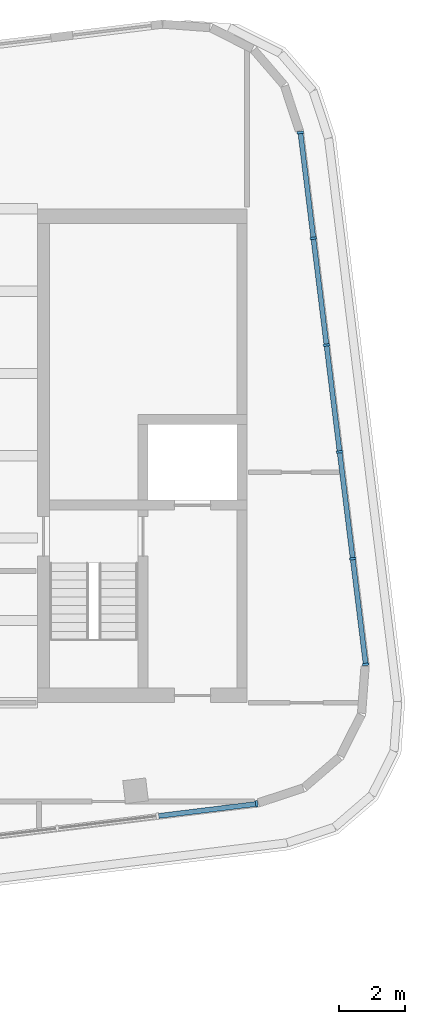
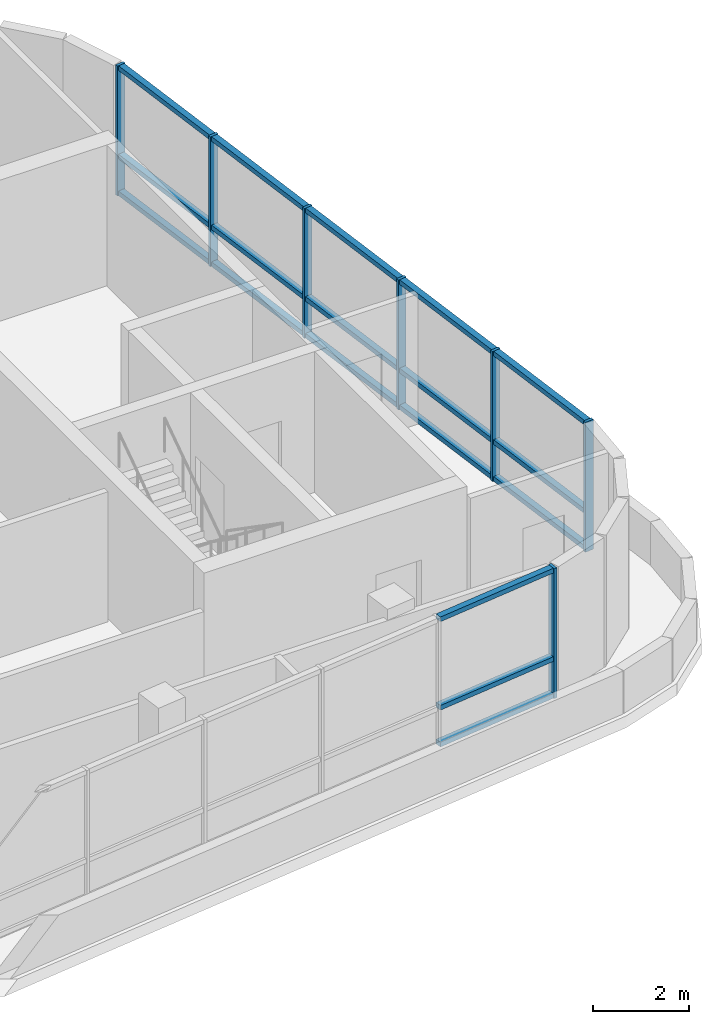
# One storey, part 2 of 7: 25 members, 2 elements without a shape of their own.
"""IFC4 building model written with IfcOpenShell, lengths in metres."""

import ifcopenshell
import ifcopenshell.guid

model = None  # the IFC model being written
_history = None  # IfcOwnerHistory: only IFC2X3 demands one
_inside = {}  # id of a spatial element -> (the spatial element, [elements in it])
_under = {}  # id of a project, library or spatial element -> (it, [spatial elements below it])
_declared = {}  # id of a project -> (the project, [libraries it declares])
_typed = {}  # id of a type object -> (the type object, [elements of that type])
_made_of = {}  # id of a material, layer set ... -> (it, [elements and type objects made of it])


def new_model(schema):
    """Start an empty IFC model of exactly this schema.

    Asked for "IFC4X3", IfcOpenShell would pick the latest addendum, in which some entities
    have other attributes; the version numbers below select the first issue.
    IFC2X3 requires an IfcOwnerHistory on every rooted entity: one is made here for all.
    """
    global model, _history
    if schema == "IFC4X3":
        model = ifcopenshell.file(schema_version=(4, 3, 0, 0))
    else:
        model = ifcopenshell.file(schema=schema)
    _inside.clear()
    _under.clear()
    _declared.clear()
    _typed.clear()
    _made_of.clear()
    _history = None
    if model.schema == "IFC2X3":
        org = make("IfcOrganization", Name="unknown")
        user = make(
            "IfcPersonAndOrganization",
            ThePerson=make("IfcPerson", FamilyName="unknown"),
            TheOrganization=org,
        )
        app = make(
            "IfcApplication",
            ApplicationDeveloper=org,
            Version="unknown",
            ApplicationFullName="unknown",
            ApplicationIdentifier="unknown",
        )
        _history = make(
            "IfcOwnerHistory",
            OwningUser=user,
            OwningApplication=app,
            ChangeAction="ADDED",
            CreationDate=0,
        )
    return model


def make(cls, **values):
    """One entity of the class cls with the attributes given. An attribute that is None is left unset."""
    return model.create_entity(
        cls, **{name: value for name, value in values.items() if value is not None}
    )


def rooted(cls, **values):
    """An entity with a GlobalId (a new one), such as an element, a storey or a relation."""
    return make(cls, GlobalId=ifcopenshell.guid.new(), OwnerHistory=_history, **values)


def si_unit(unit_type, name, prefix=None):
    """IfcSIUnit, for example si_unit("LENGTHUNIT", "METRE", prefix="MILLI")."""
    return make("IfcSIUnit", UnitType=unit_type, Prefix=prefix, Name=name)


def assignment(units):
    """IfcUnitAssignment: the units of a project."""
    return None if units is None else make("IfcUnitAssignment", Units=units)


def point(xyz):
    """IfcCartesianPoint."""
    return None if xyz is None else make("IfcCartesianPoint", Coordinates=xyz)


def direction(xyz):
    """IfcDirection."""
    return None if xyz is None else make("IfcDirection", DirectionRatios=xyz)


def frame(location, z_axis=None, x_axis=None):
    """IfcAxis2Placement3D, a coordinate frame: its origin and axes. An axis left out is left unset."""
    return make(
        "IfcAxis2Placement3D",
        Location=point(location),
        Axis=direction(z_axis),
        RefDirection=direction(x_axis),
    )


def frame_2d(location, x_axis=None):
    """IfcAxis2Placement2D, a coordinate frame in the plane: its origin and x axis."""
    return make(
        "IfcAxis2Placement2D", Location=point(location), RefDirection=direction(x_axis)
    )


def origin():
    """The frame at (0, 0, 0) with its axes left unset."""
    return frame((0.0, 0.0, 0.0))


def origin_2d():
    """The frame at (0, 0) in the plane with its x axis left unset."""
    return frame_2d((0.0, 0.0))


def place(relative_to, where):
    """IfcLocalPlacement: puts the frame where relative to a parent placement (None: the world)."""
    return make(
        "IfcLocalPlacement", PlacementRelTo=relative_to, RelativePlacement=where
    )


def context(
    kind, dimensions, precision=None, world=None, true_north=None, identifier=None
):
    """IfcGeometricRepresentationContext, for example the 3D "Model" context."""
    return make(
        "IfcGeometricRepresentationContext",
        ContextIdentifier=identifier,
        ContextType=kind,
        CoordinateSpaceDimension=dimensions,
        Precision=precision,
        WorldCoordinateSystem=world,
        TrueNorth=true_north,
    )


def subcontext(parent, identifier, kind, view, scale=None):
    """IfcGeometricRepresentationSubContext, for example "Body" below "Model"."""
    return make(
        "IfcGeometricRepresentationSubContext",
        ContextIdentifier=identifier,
        ContextType=kind,
        ParentContext=parent,
        TargetScale=scale,
        TargetView=view,
    )


def project(units=None, contexts=None):
    """IfcProject with its units and contexts."""
    return rooted(
        "IfcProject",
        Name="project",
        RepresentationContexts=contexts,
        UnitsInContext=assignment(units),
    )


def spatial(cls, under=None, at=None, **own):
    """A site, building, storey or space (cls), placed at a placement, below another one or the project."""
    s = rooted(cls, ObjectPlacement=at, **own)
    if under is not None:
        _under.setdefault(under.id(), (under, []))[1].append(s)
    return s


def profile(cls, at=None, kind="AREA", **sizes):
    """A parametric profile (cls). Its sizes go by their IFC names, for example OverallWidth=200.0."""
    return make(cls, ProfileType=kind, Position=at, **sizes)


def rectangle(**sizes):
    """IfcRectangleProfileDef."""
    return profile("IfcRectangleProfileDef", **sizes)


def extrude(swept, where, along, depth):
    """IfcExtrudedAreaSolid: the profile swept, set in the frame where, extruded along a direction by depth."""
    return make(
        "IfcExtrudedAreaSolid",
        SweptArea=swept,
        Position=where,
        ExtrudedDirection=direction(along),
        Depth=depth,
    )


def shape(context_of_items, identifier, shape_type, items):
    """IfcShapeRepresentation: the items that make up one representation, for example the "Body"."""
    return make(
        "IfcShapeRepresentation",
        ContextOfItems=context_of_items,
        RepresentationIdentifier=identifier,
        RepresentationType=shape_type,
        Items=items,
    )


def material(Name=None, Category=None):
    """IfcMaterial."""
    return make("IfcMaterial", Name=Name, Category=Category)


def layer(
    of_material, thickness, ventilated=None, Name=None, Category=None, Priority=None
):
    """IfcMaterialLayer: one layer of a wall or slab, of a material (None: an air gap)."""
    return make(
        "IfcMaterialLayer",
        Material=of_material,
        LayerThickness=thickness,
        IsVentilated=ventilated,
        Name=Name,
        Category=Category,
        Priority=Priority,
    )


def layer_set(layers, Name=None):
    """IfcMaterialLayerSet."""
    return make("IfcMaterialLayerSet", MaterialLayers=layers, LayerSetName=Name)


def material_profile(
    of_material, cross_section, Name=None, Category=None, Priority=None
):
    """IfcMaterialProfile: a cross section and its material."""
    return make(
        "IfcMaterialProfile",
        Name=Name,
        Material=of_material,
        Profile=cross_section,
        Priority=Priority,
        Category=Category,
    )


def profile_set(profiles, Name=None, composite=None):
    """IfcMaterialProfileSet."""
    return make(
        "IfcMaterialProfileSet",
        Name=Name,
        MaterialProfiles=profiles,
        CompositeProfile=composite,
    )


def made_of(thing, what):
    """Note that an element or type object is made of a material, layer set ...; save() writes the relation."""
    if what is not None:
        _made_of.setdefault(what.id(), (what, []))[1].append(thing)
    return thing


def type_object(cls, material=None, **own):
    """A type object (cls), such as IfcWallType, which elements share."""
    return made_of(rooted(cls, **own), material)


def element(
    cls,
    number,
    at=None,
    inside=None,
    cuts=None,
    type_object=None,
    material=None,
    context=None,
    identifier="Body",
    shape_type=None,
    held_by="IfcProductDefinitionShape",
    body=None,
    shapes=None,
    **own,
):
    """One element of the class cls, such as IfcWall. Its Tag is "e" and its number.

    at: its placement. inside: the storey or other place that contains it. cuts: it is an
    opening in that element (IfcRelVoidsElement). A single representation is given by context,
    identifier, shape_type and body (its items); several are given by shapes. held_by: the class
    of the entity that holds the representations. save() writes the other relations.
    """
    e = rooted(cls, Tag="e%d" % number, ObjectPlacement=at, **own)
    if body is not None:
        shapes = [shape(context, identifier, shape_type, body)]
    if shapes is not None:
        e.Representation = make(held_by, Representations=shapes)
    if inside is not None:
        _inside.setdefault(inside.id(), (inside, []))[1].append(e)
    if cuts is not None:
        rooted(
            "IfcRelVoidsElement", RelatingBuildingElement=cuts, RelatedOpeningElement=e
        )
    if type_object is not None:
        _typed.setdefault(type_object.id(), (type_object, []))[1].append(e)
    return made_of(e, material)


def aggregate(whole, parts):
    """IfcRelAggregates: a whole, such as a stair, and the parts it consists of."""
    return rooted("IfcRelAggregates", RelatingObject=whole, RelatedObjects=parts)


def save(model, path):
    """Write the relations noted so far, then the file.

    IfcRelAggregates (storeys below a building ...), IfcRelContainedInSpatialStructure (elements
    in a storey), IfcRelDefinesByType, IfcRelAssociatesMaterial and IfcRelDeclares: one each for
    every whole, place, type object, material and project.
    """
    for whole, parts in _under.values():
        aggregate(whole, parts)
    for where, things in _inside.values():
        rooted(
            "IfcRelContainedInSpatialStructure",
            RelatedElements=things,
            RelatingStructure=where,
        )
    for kind, things in _typed.values():
        rooted("IfcRelDefinesByType", RelatedObjects=things, RelatingType=kind)
    for what, things in _made_of.values():
        rooted("IfcRelAssociatesMaterial", RelatedObjects=things, RelatingMaterial=what)
    for by, libraries in _declared.values():
        rooted("IfcRelDeclares", RelatingContext=by, RelatedDefinitions=libraries)
    model.write(path)


model = new_model("IFC4")

# Units and contexts
model_context = context("Model", 3, precision=1e-05, world=origin(), true_north=direction((0.0, 1.0)))
body_context = subcontext(model_context, "Body", "Model", "MODEL_VIEW")
ifc_project = project(units=[si_unit("LENGTHUNIT", "METRE"), si_unit("AREAUNIT", "SQUARE_METRE"), si_unit("VOLUMEUNIT", "CUBIC_METRE"), si_unit("PLANEANGLEUNIT", "RADIAN"), si_unit("MASSUNIT", "GRAM", prefix="KILO")], contexts=[model_context])

# Site, building, storey
site_placement = place(None, origin())
site = spatial("IfcSite", under=ifc_project, at=site_placement, CompositionType="ELEMENT")
building_placement = place(site_placement, origin())
building = spatial("IfcBuilding", under=site, at=building_placement, Name="Torana Hotel and Residences", CompositionType="ELEMENT")
storey_placement = place(building_placement, frame((0.0, 0.0, 353.800048828125)))
storey = spatial("IfcBuildingStorey", under=building, at=storey_placement, Name="C3", CompositionType="ELEMENT", Elevation=353.800048828125)

# Curtain wall, member
ifc_material_1 = material(Name="Dark anodised aluminium", Category="aluminium")
ifc_layer = layer(ifc_material_1, 0.199951171875)
ifc_layer_set = layer_set([ifc_layer], Name="CW4 CROWN TERRACE GLAZING CURTAIN WALL")
curtain_wall_type = type_object("IfcCurtainWallType", Name="CW4 CROWN TERRACE GLAZING CURTAIN WALL", PredefinedType="NOTDEFINED", material=ifc_layer_set)
curtain_wall_1_placement = place(storey_placement, origin())
curtain_wall_1 = element("IfcCurtainWall", 1, at=curtain_wall_1_placement, inside=storey, type_object=curtain_wall_type, Name="Curtain wall CW4 C3 e0.14-2", PredefinedType="NOTDEFINED")
ifc_material_2 = material(Name="Dark anodised aluminium", Category="aluminium")
ifc_material_profile_1 = material_profile(ifc_material_2, rectangle(XDim=0.199951171875, YDim=0.070068359375, at=origin_2d()), Name="CW4 MULLION 70x200")
ifc_profile_set_1 = profile_set([ifc_material_profile_1], Name="Dark anodised aluminium")
member_type_1 = type_object("IfcMemberType", Name="CW4 MULLION 70x200", PredefinedType="MULLION", material=ifc_profile_set_1)
member_1_placement = place(storey_placement, frame((16.64990234375, -18.072021484375, 0.0), z_axis=(0.0, 0.0, 1.0), x_axis=(-0.121865394893, 0.99254663645, 0.0)))
member_1 = element("IfcMember", 2, at=member_1_placement, type_object=member_type_1, Name="CW4 mullion 7", PredefinedType="MULLION", context=body_context, shape_type="SweptSolid", body=[
    extrude(rectangle(XDim=0.199951171875, YDim=0.070068359375, at=origin_2d()), origin(), (0.0, 0.0, 1.0), 3.320068359375),
])

# Curtain wall, members
curtain_wall_2_placement = place(storey_placement, origin())
curtain_wall_2 = element("IfcCurtainWall", 3, at=curtain_wall_2_placement, inside=storey, type_object=curtain_wall_type, Name="Curtain wall CW4 C3 e0.19", PredefinedType="NOTDEFINED")
member_2_placement = place(storey_placement, frame((19.9599609375, -13.835205078125, 0.0), z_axis=(0.0, 0.0, 1.0), x_axis=(-0.992546415881, -0.121867191327, 0.0)))
member_2 = element("IfcMember", 4, at=member_2_placement, type_object=member_type_1, Name="CW4 mullion 1", PredefinedType="MULLION", context=body_context, shape_type="SweptSolid", body=[
    extrude(rectangle(XDim=0.199951171875, YDim=0.070068359375, at=origin_2d()), origin(), (0.0, 0.0, 1.0), 3.320068359375),
])
member_3_placement = place(storey_placement, frame((19.56591796875, -10.62548828125, 0.0), z_axis=(0.0, 0.0, 1.0), x_axis=(-0.992546415881, -0.121867191327, 0.0)))
member_3 = element("IfcMember", 5, at=member_3_placement, type_object=member_type_1, Name="CW4 mullion 2", PredefinedType="MULLION", context=body_context, shape_type="SweptSolid", body=[
    extrude(rectangle(XDim=0.199951171875, YDim=0.070068359375, at=origin_2d()), origin(), (0.0, 0.0, 1.0), 3.320068359375),
])
member_4_placement = place(storey_placement, frame((19.16748046875, -7.381103515625, 0.0), z_axis=(0.0, 0.0, 1.0), x_axis=(-0.992546415881, -0.121867191327, 0.0)))
member_4 = element("IfcMember", 6, at=member_4_placement, type_object=member_type_1, Name="CW4 mullion 3", PredefinedType="MULLION", context=body_context, shape_type="SweptSolid", body=[
    extrude(rectangle(XDim=0.199951171875, YDim=0.070068359375, at=origin_2d()), origin(), (0.0, 0.0, 1.0), 3.320068359375),
])
member_5_placement = place(storey_placement, frame((18.76904296875, -4.13671875, 0.0), z_axis=(0.0, 0.0, 1.0), x_axis=(-0.992546415881, -0.121867191327, 0.0)))
member_5 = element("IfcMember", 7, at=member_5_placement, type_object=member_type_1, Name="CW4 mullion 4", PredefinedType="MULLION", context=body_context, shape_type="SweptSolid", body=[
    extrude(rectangle(XDim=0.199951171875, YDim=0.070068359375, at=origin_2d()), origin(), (0.0, 0.0, 1.0), 3.320068359375),
])
member_6_placement = place(storey_placement, frame((18.370849609375, -0.892333984375, 0.0), z_axis=(0.0, 0.0, 1.0), x_axis=(-0.992546415881, -0.121867191327, 0.0)))
member_6 = element("IfcMember", 8, at=member_6_placement, type_object=member_type_1, Name="CW4 mullion 5", PredefinedType="MULLION", context=body_context, shape_type="SweptSolid", body=[
    extrude(rectangle(XDim=0.199951171875, YDim=0.070068359375, at=origin_2d()), origin(), (0.0, 0.0, 1.0), 3.320068359375),
])
member_7_placement = place(storey_placement, frame((17.9765625, 2.3173828125, 0.0), z_axis=(0.0, 0.0, 1.0), x_axis=(-0.992546415881, -0.121867191327, 0.0)))
member_7 = element("IfcMember", 9, at=member_7_placement, type_object=member_type_1, Name="CW4 mullion 6", PredefinedType="MULLION", context=body_context, shape_type="SweptSolid", body=[
    extrude(rectangle(XDim=0.199951171875, YDim=0.070068359375, at=origin_2d()), origin(), (0.0, 0.0, 1.0), 3.320068359375),
])

# Member
ifc_material_3 = material(Name="Dark anodised aluminium", Category="aluminium")
ifc_material_profile_2 = material_profile(ifc_material_3, rectangle(XDim=0.14990234375, YDim=0.1201171875, at=origin_2d()), Name="CW4 TRANSOM 150x120")
ifc_profile_set_2 = profile_set([ifc_material_profile_2], Name="Dark anodised aluminium")
member_type_2 = type_object("IfcMemberType", Name="CW4 TRANSOM 150x120", PredefinedType="USERDEFINED", material=ifc_profile_set_2)
member_8_placement = place(storey_placement, frame((13.673583984375, -18.4375, 0.06005859375), z_axis=(0.992550447375, 0.121834352367, 0.0), x_axis=(-0.121834352367, 0.992550447375, 0.0)))
member_8 = element("IfcMember", 10, at=member_8_placement, type_object=member_type_2, Name="CW4 transom 6.1", ObjectType="TRANSOM", PredefinedType="USERDEFINED", context=body_context, shape_type="SweptSolid", body=[
    extrude(rectangle(XDim=0.14990234375, YDim=0.1201171875, at=origin_2d()), origin(), (0.0, 0.0, 1.0), 2.963623046875),
])

member_9_placement = place(storey_placement, frame((13.673583984375, -18.4375, 1.0), z_axis=(0.992550447375, 0.121834352367, 0.0), x_axis=(-0.121834352367, 0.992550447375, 0.0)))
member_9 = element("IfcMember", 11, at=member_9_placement, type_object=member_type_2, Name="CW4 transom 6.2", ObjectType="TRANSOM", PredefinedType="USERDEFINED", context=body_context, shape_type="SweptSolid", body=[
    extrude(rectangle(XDim=0.14990234375, YDim=0.1201171875, at=origin_2d()), origin(), (0.0, 0.0, 1.0), 2.963623046875),
])

member_10_placement = place(storey_placement, frame((13.673583984375, -18.4375, 3.260009765625), z_axis=(0.992550447375, 0.121834352367, 0.0), x_axis=(-0.121834352367, 0.992550447375, 0.0)))
member_10 = element("IfcMember", 12, at=member_10_placement, type_object=member_type_2, Name="CW4 transom 6.3", ObjectType="TRANSOM", PredefinedType="USERDEFINED", context=body_context, shape_type="SweptSolid", body=[
    extrude(rectangle(XDim=0.14990234375, YDim=0.1201171875, at=origin_2d()), origin(), (0.0, 0.0, 1.0), 2.963623046875),
])

aggregate(curtain_wall_1, [member_1, member_8, member_9, member_10])

member_11_placement = place(storey_placement, frame((19.95556640625, -13.800537109375, 0.06005859375), z_axis=(-0.121849955834, 0.992548531944, 0.0), x_axis=(-0.992548531944, -0.121849955834, 0.0)))
member_11 = element("IfcMember", 13, at=member_11_placement, type_object=member_type_2, Name="CW4 transom 1.1", ObjectType="TRANSOM", PredefinedType="USERDEFINED", context=body_context, shape_type="SweptSolid", body=[
    extrude(rectangle(XDim=0.14990234375, YDim=0.1201171875, at=origin_2d()), origin(), (0.0, 0.0, 1.0), 3.163818359375),
])

member_12_placement = place(storey_placement, frame((19.95556640625, -13.800537109375, 1.0), z_axis=(-0.121849955834, 0.992548531944, 0.0), x_axis=(-0.992548531944, -0.121849955834, 0.0)))
member_12 = element("IfcMember", 14, at=member_12_placement, type_object=member_type_2, Name="CW4 transom 1.2", ObjectType="TRANSOM", PredefinedType="USERDEFINED", context=body_context, shape_type="SweptSolid", body=[
    extrude(rectangle(XDim=0.14990234375, YDim=0.1201171875, at=origin_2d()), origin(), (0.0, 0.0, 1.0), 3.163818359375),
])

member_13_placement = place(storey_placement, frame((19.95556640625, -13.800537109375, 3.260009765625), z_axis=(-0.121849955834, 0.992548531944, 0.0), x_axis=(-0.992548531944, -0.121849955834, 0.0)))
member_13 = element("IfcMember", 15, at=member_13_placement, type_object=member_type_2, Name="CW4 transom 1.3", ObjectType="TRANSOM", PredefinedType="USERDEFINED", context=body_context, shape_type="SweptSolid", body=[
    extrude(rectangle(XDim=0.14990234375, YDim=0.1201171875, at=origin_2d()), origin(), (0.0, 0.0, 1.0), 3.163818359375),
])

member_14_placement = place(storey_placement, frame((19.5615234375, -10.5908203125, 0.06005859375), z_axis=(-0.121883387175, 0.992544427182, 0.0), x_axis=(-0.992544427182, -0.121883387175, 0.0)))
member_14 = element("IfcMember", 16, at=member_14_placement, type_object=member_type_2, Name="CW4 transom 2.1", ObjectType="TRANSOM", PredefinedType="USERDEFINED", context=body_context, shape_type="SweptSolid", body=[
    extrude(rectangle(XDim=0.14990234375, YDim=0.1201171875, at=origin_2d()), origin(), (0.0, 0.0, 1.0), 3.198974609375),
])

member_15_placement = place(storey_placement, frame((19.5615234375, -10.5908203125, 1.0), z_axis=(-0.121883387175, 0.992544427182, 0.0), x_axis=(-0.992544427182, -0.121883387175, 0.0)))
member_15 = element("IfcMember", 17, at=member_15_placement, type_object=member_type_2, Name="CW4 transom 2.2", ObjectType="TRANSOM", PredefinedType="USERDEFINED", context=body_context, shape_type="SweptSolid", body=[
    extrude(rectangle(XDim=0.14990234375, YDim=0.1201171875, at=origin_2d()), origin(), (0.0, 0.0, 1.0), 3.198974609375),
])

member_16_placement = place(storey_placement, frame((19.5615234375, -10.5908203125, 3.260009765625), z_axis=(-0.121883387175, 0.992544427182, 0.0), x_axis=(-0.992544427182, -0.121883387175, 0.0)))
member_16 = element("IfcMember", 18, at=member_16_placement, type_object=member_type_2, Name="CW4 transom 2.3", ObjectType="TRANSOM", PredefinedType="USERDEFINED", context=body_context, shape_type="SweptSolid", body=[
    extrude(rectangle(XDim=0.14990234375, YDim=0.1201171875, at=origin_2d()), origin(), (0.0, 0.0, 1.0), 3.198974609375),
])

member_17_placement = place(storey_placement, frame((19.163330078125, -7.346435546875, 0.06005859375), z_axis=(-0.121883387175, 0.992544427182, 0.0), x_axis=(-0.992544427182, -0.121883387175, 0.0)))
member_17 = element("IfcMember", 19, at=member_17_placement, type_object=member_type_2, Name="CW4 transom 3.1", ObjectType="TRANSOM", PredefinedType="USERDEFINED", context=body_context, shape_type="SweptSolid", body=[
    extrude(rectangle(XDim=0.14990234375, YDim=0.1201171875, at=origin_2d()), origin(), (0.0, 0.0, 1.0), 3.198974609375),
])

member_18_placement = place(storey_placement, frame((19.163330078125, -7.346435546875, 1.0), z_axis=(-0.121883387175, 0.992544427182, 0.0), x_axis=(-0.992544427182, -0.121883387175, 0.0)))
member_18 = element("IfcMember", 20, at=member_18_placement, type_object=member_type_2, Name="CW4 transom 3.2", ObjectType="TRANSOM", PredefinedType="USERDEFINED", context=body_context, shape_type="SweptSolid", body=[
    extrude(rectangle(XDim=0.14990234375, YDim=0.1201171875, at=origin_2d()), origin(), (0.0, 0.0, 1.0), 3.198974609375),
])

member_19_placement = place(storey_placement, frame((19.163330078125, -7.346435546875, 3.260009765625), z_axis=(-0.121883387175, 0.992544427182, 0.0), x_axis=(-0.992544427182, -0.121883387175, 0.0)))
member_19 = element("IfcMember", 21, at=member_19_placement, type_object=member_type_2, Name="CW4 transom 3.3", ObjectType="TRANSOM", PredefinedType="USERDEFINED", context=body_context, shape_type="SweptSolid", body=[
    extrude(rectangle(XDim=0.14990234375, YDim=0.1201171875, at=origin_2d()), origin(), (0.0, 0.0, 1.0), 3.198974609375),
])

member_20_placement = place(storey_placement, frame((18.764892578125, -4.10205078125, 0.06005859375), z_axis=(-0.121883387175, 0.992544427182, 0.0), x_axis=(-0.992544427182, -0.121883387175, 0.0)))
member_20 = element("IfcMember", 22, at=member_20_placement, type_object=member_type_2, Name="CW4 transom 4.1", ObjectType="TRANSOM", PredefinedType="USERDEFINED", context=body_context, shape_type="SweptSolid", body=[
    extrude(rectangle(XDim=0.14990234375, YDim=0.1201171875, at=origin_2d()), origin(), (0.0, 0.0, 1.0), 3.198974609375),
])

member_21_placement = place(storey_placement, frame((18.764892578125, -4.10205078125, 1.0), z_axis=(-0.121883387175, 0.992544427182, 0.0), x_axis=(-0.992544427182, -0.121883387175, 0.0)))
member_21 = element("IfcMember", 23, at=member_21_placement, type_object=member_type_2, Name="CW4 transom 4.2", ObjectType="TRANSOM", PredefinedType="USERDEFINED", context=body_context, shape_type="SweptSolid", body=[
    extrude(rectangle(XDim=0.14990234375, YDim=0.1201171875, at=origin_2d()), origin(), (0.0, 0.0, 1.0), 3.198974609375),
])

member_22_placement = place(storey_placement, frame((18.764892578125, -4.10205078125, 3.260009765625), z_axis=(-0.121883387175, 0.992544427182, 0.0), x_axis=(-0.992544427182, -0.121883387175, 0.0)))
member_22 = element("IfcMember", 24, at=member_22_placement, type_object=member_type_2, Name="CW4 transom 4.3", ObjectType="TRANSOM", PredefinedType="USERDEFINED", context=body_context, shape_type="SweptSolid", body=[
    extrude(rectangle(XDim=0.14990234375, YDim=0.1201171875, at=origin_2d()), origin(), (0.0, 0.0, 1.0), 3.198974609375),
])

member_23_placement = place(storey_placement, frame((18.366455078125, -0.857421875, 0.06005859375), z_axis=(-0.121849955834, 0.992548531944, 0.0), x_axis=(-0.992548531944, -0.121849955834, 0.0)))
member_23 = element("IfcMember", 25, at=member_23_placement, type_object=member_type_2, Name="CW4 transom 5.1", ObjectType="TRANSOM", PredefinedType="USERDEFINED", context=body_context, shape_type="SweptSolid", body=[
    extrude(rectangle(XDim=0.14990234375, YDim=0.1201171875, at=origin_2d()), origin(), (0.0, 0.0, 1.0), 3.163818359375),
])

member_24_placement = place(storey_placement, frame((18.366455078125, -0.857421875, 1.0), z_axis=(-0.121849955834, 0.992548531944, 0.0), x_axis=(-0.992548531944, -0.121849955834, 0.0)))
member_24 = element("IfcMember", 26, at=member_24_placement, type_object=member_type_2, Name="CW4 transom 5.2", ObjectType="TRANSOM", PredefinedType="USERDEFINED", context=body_context, shape_type="SweptSolid", body=[
    extrude(rectangle(XDim=0.14990234375, YDim=0.1201171875, at=origin_2d()), origin(), (0.0, 0.0, 1.0), 3.163818359375),
])

member_25_placement = place(storey_placement, frame((18.366455078125, -0.857421875, 3.260009765625), z_axis=(-0.121849955834, 0.992548531944, 0.0), x_axis=(-0.992548531944, -0.121849955834, 0.0)))
member_25 = element("IfcMember", 27, at=member_25_placement, type_object=member_type_2, Name="CW4 transom 5.3", ObjectType="TRANSOM", PredefinedType="USERDEFINED", context=body_context, shape_type="SweptSolid", body=[
    extrude(rectangle(XDim=0.14990234375, YDim=0.1201171875, at=origin_2d()), origin(), (0.0, 0.0, 1.0), 3.163818359375),
])

aggregate(curtain_wall_2, [member_2, member_3, member_4, member_5, member_6, member_7, member_11, member_12, member_13, member_14, member_15, member_16, member_17, member_18, member_19, member_20, member_21, member_22, member_23, member_24, member_25])

save(model, "model.ifc")
